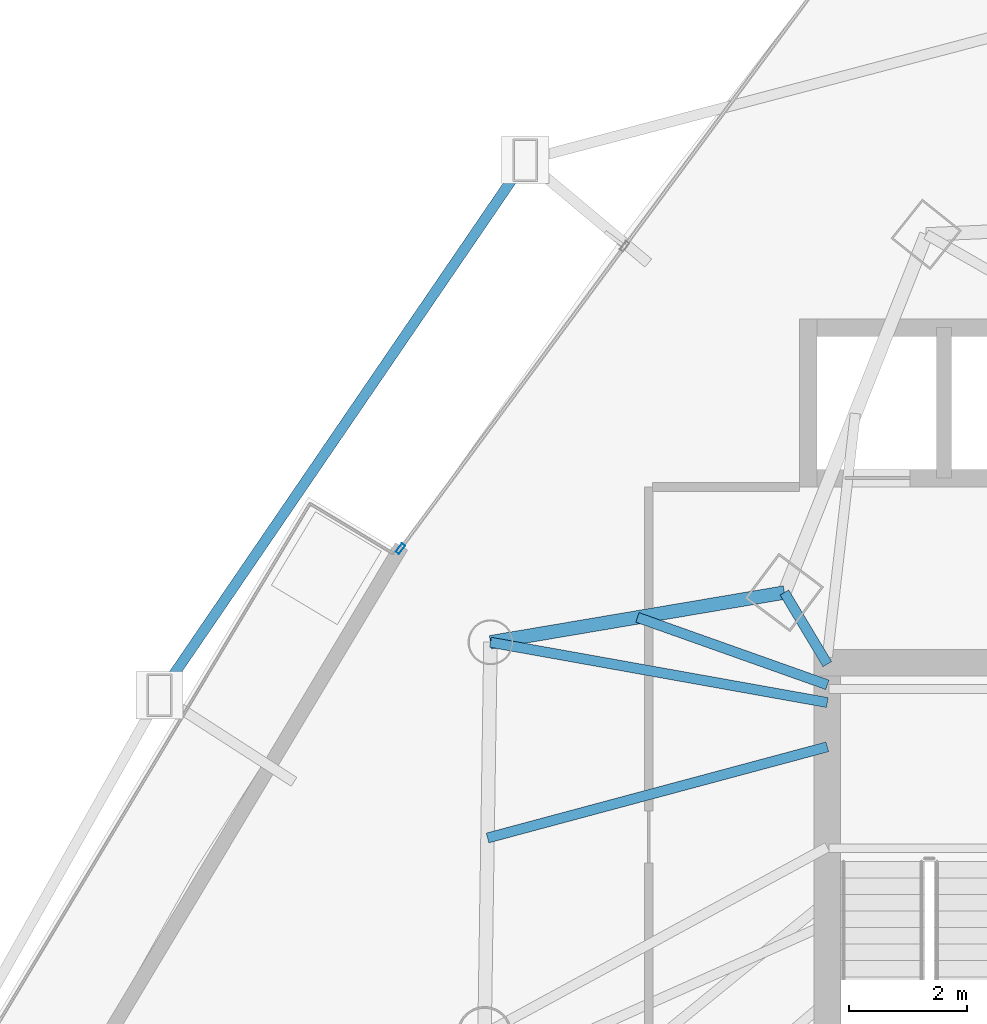
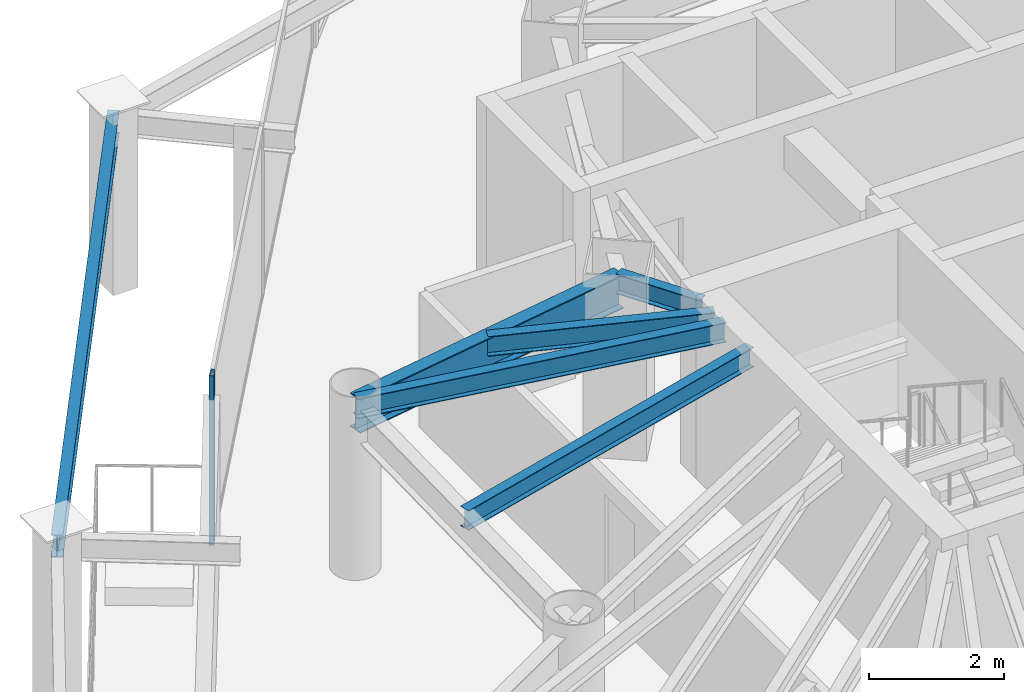
# One storey, part 23 of 38: 6 beams, 1 member, 1 element without a shape of its own.
"""IFC4 building model written with IfcOpenShell, lengths in metres."""

import ifcopenshell
import ifcopenshell.guid

model = None  # the IFC model being written
_history = None  # IfcOwnerHistory: only IFC2X3 demands one
_inside = {}  # id of a spatial element -> (the spatial element, [elements in it])
_under = {}  # id of a project, library or spatial element -> (it, [spatial elements below it])
_declared = {}  # id of a project -> (the project, [libraries it declares])
_typed = {}  # id of a type object -> (the type object, [elements of that type])
_made_of = {}  # id of a material, layer set ... -> (it, [elements and type objects made of it])


def new_model(schema):
    """Start an empty IFC model of exactly this schema.

    Asked for "IFC4X3", IfcOpenShell would pick the latest addendum, in which some entities
    have other attributes; the version numbers below select the first issue.
    IFC2X3 requires an IfcOwnerHistory on every rooted entity: one is made here for all.
    """
    global model, _history
    if schema == "IFC4X3":
        model = ifcopenshell.file(schema_version=(4, 3, 0, 0))
    else:
        model = ifcopenshell.file(schema=schema)
    _inside.clear()
    _under.clear()
    _declared.clear()
    _typed.clear()
    _made_of.clear()
    _history = None
    if model.schema == "IFC2X3":
        org = make("IfcOrganization", Name="unknown")
        user = make(
            "IfcPersonAndOrganization",
            ThePerson=make("IfcPerson", FamilyName="unknown"),
            TheOrganization=org,
        )
        app = make(
            "IfcApplication",
            ApplicationDeveloper=org,
            Version="unknown",
            ApplicationFullName="unknown",
            ApplicationIdentifier="unknown",
        )
        _history = make(
            "IfcOwnerHistory",
            OwningUser=user,
            OwningApplication=app,
            ChangeAction="ADDED",
            CreationDate=0,
        )
    return model


def make(cls, **values):
    """One entity of the class cls with the attributes given. An attribute that is None is left unset."""
    return model.create_entity(
        cls, **{name: value for name, value in values.items() if value is not None}
    )


def rooted(cls, **values):
    """An entity with a GlobalId (a new one), such as an element, a storey or a relation."""
    return make(cls, GlobalId=ifcopenshell.guid.new(), OwnerHistory=_history, **values)


def si_unit(unit_type, name, prefix=None):
    """IfcSIUnit, for example si_unit("LENGTHUNIT", "METRE", prefix="MILLI")."""
    return make("IfcSIUnit", UnitType=unit_type, Prefix=prefix, Name=name)


def assignment(units):
    """IfcUnitAssignment: the units of a project."""
    return None if units is None else make("IfcUnitAssignment", Units=units)


def point(xyz):
    """IfcCartesianPoint."""
    return None if xyz is None else make("IfcCartesianPoint", Coordinates=xyz)


def direction(xyz):
    """IfcDirection."""
    return None if xyz is None else make("IfcDirection", DirectionRatios=xyz)


def frame(location, z_axis=None, x_axis=None):
    """IfcAxis2Placement3D, a coordinate frame: its origin and axes. An axis left out is left unset."""
    return make(
        "IfcAxis2Placement3D",
        Location=point(location),
        Axis=direction(z_axis),
        RefDirection=direction(x_axis),
    )


def frame_2d(location, x_axis=None):
    """IfcAxis2Placement2D, a coordinate frame in the plane: its origin and x axis."""
    return make(
        "IfcAxis2Placement2D", Location=point(location), RefDirection=direction(x_axis)
    )


def origin():
    """The frame at (0, 0, 0) with its axes left unset."""
    return frame((0.0, 0.0, 0.0))


def origin_2d():
    """The frame at (0, 0) in the plane with its x axis left unset."""
    return frame_2d((0.0, 0.0))


def place(relative_to, where):
    """IfcLocalPlacement: puts the frame where relative to a parent placement (None: the world)."""
    return make(
        "IfcLocalPlacement", PlacementRelTo=relative_to, RelativePlacement=where
    )


def context(
    kind, dimensions, precision=None, world=None, true_north=None, identifier=None
):
    """IfcGeometricRepresentationContext, for example the 3D "Model" context."""
    return make(
        "IfcGeometricRepresentationContext",
        ContextIdentifier=identifier,
        ContextType=kind,
        CoordinateSpaceDimension=dimensions,
        Precision=precision,
        WorldCoordinateSystem=world,
        TrueNorth=true_north,
    )


def subcontext(parent, identifier, kind, view, scale=None):
    """IfcGeometricRepresentationSubContext, for example "Body" below "Model"."""
    return make(
        "IfcGeometricRepresentationSubContext",
        ContextIdentifier=identifier,
        ContextType=kind,
        ParentContext=parent,
        TargetScale=scale,
        TargetView=view,
    )


def project(units=None, contexts=None):
    """IfcProject with its units and contexts."""
    return rooted(
        "IfcProject",
        Name="project",
        RepresentationContexts=contexts,
        UnitsInContext=assignment(units),
    )


def spatial(cls, under=None, at=None, **own):
    """A site, building, storey or space (cls), placed at a placement, below another one or the project."""
    s = rooted(cls, ObjectPlacement=at, **own)
    if under is not None:
        _under.setdefault(under.id(), (under, []))[1].append(s)
    return s


def profile(cls, at=None, kind="AREA", **sizes):
    """A parametric profile (cls). Its sizes go by their IFC names, for example OverallWidth=200.0."""
    return make(cls, ProfileType=kind, Position=at, **sizes)


def hollow_rectangle(**sizes):
    """IfcRectangleHollowProfileDef."""
    return profile("IfcRectangleHollowProfileDef", **sizes)


def i_section(**sizes):
    """IfcIShapeProfileDef."""
    return profile("IfcIShapeProfileDef", **sizes)


def extrude(swept, where, along, depth):
    """IfcExtrudedAreaSolid: the profile swept, set in the frame where, extruded along a direction by depth."""
    return make(
        "IfcExtrudedAreaSolid",
        SweptArea=swept,
        Position=where,
        ExtrudedDirection=direction(along),
        Depth=depth,
    )


def shape(context_of_items, identifier, shape_type, items):
    """IfcShapeRepresentation: the items that make up one representation, for example the "Body"."""
    return make(
        "IfcShapeRepresentation",
        ContextOfItems=context_of_items,
        RepresentationIdentifier=identifier,
        RepresentationType=shape_type,
        Items=items,
    )


def material(Name=None, Category=None):
    """IfcMaterial."""
    return make("IfcMaterial", Name=Name, Category=Category)


def layer(
    of_material, thickness, ventilated=None, Name=None, Category=None, Priority=None
):
    """IfcMaterialLayer: one layer of a wall or slab, of a material (None: an air gap)."""
    return make(
        "IfcMaterialLayer",
        Material=of_material,
        LayerThickness=thickness,
        IsVentilated=ventilated,
        Name=Name,
        Category=Category,
        Priority=Priority,
    )


def layer_set(layers, Name=None):
    """IfcMaterialLayerSet."""
    return make("IfcMaterialLayerSet", MaterialLayers=layers, LayerSetName=Name)


def material_profile(
    of_material, cross_section, Name=None, Category=None, Priority=None
):
    """IfcMaterialProfile: a cross section and its material."""
    return make(
        "IfcMaterialProfile",
        Name=Name,
        Material=of_material,
        Profile=cross_section,
        Priority=Priority,
        Category=Category,
    )


def profile_set(profiles, Name=None, composite=None):
    """IfcMaterialProfileSet."""
    return make(
        "IfcMaterialProfileSet",
        Name=Name,
        MaterialProfiles=profiles,
        CompositeProfile=composite,
    )


def made_of(thing, what):
    """Note that an element or type object is made of a material, layer set ...; save() writes the relation."""
    if what is not None:
        _made_of.setdefault(what.id(), (what, []))[1].append(thing)
    return thing


def type_object(cls, material=None, **own):
    """A type object (cls), such as IfcWallType, which elements share."""
    return made_of(rooted(cls, **own), material)


def element(
    cls,
    number,
    at=None,
    inside=None,
    cuts=None,
    type_object=None,
    material=None,
    context=None,
    identifier="Body",
    shape_type=None,
    held_by="IfcProductDefinitionShape",
    body=None,
    shapes=None,
    **own,
):
    """One element of the class cls, such as IfcWall. Its Tag is "e" and its number.

    at: its placement. inside: the storey or other place that contains it. cuts: it is an
    opening in that element (IfcRelVoidsElement). A single representation is given by context,
    identifier, shape_type and body (its items); several are given by shapes. held_by: the class
    of the entity that holds the representations. save() writes the other relations.
    """
    e = rooted(cls, Tag="e%d" % number, ObjectPlacement=at, **own)
    if body is not None:
        shapes = [shape(context, identifier, shape_type, body)]
    if shapes is not None:
        e.Representation = make(held_by, Representations=shapes)
    if inside is not None:
        _inside.setdefault(inside.id(), (inside, []))[1].append(e)
    if cuts is not None:
        rooted(
            "IfcRelVoidsElement", RelatingBuildingElement=cuts, RelatedOpeningElement=e
        )
    if type_object is not None:
        _typed.setdefault(type_object.id(), (type_object, []))[1].append(e)
    return made_of(e, material)


def aggregate(whole, parts):
    """IfcRelAggregates: a whole, such as a stair, and the parts it consists of."""
    return rooted("IfcRelAggregates", RelatingObject=whole, RelatedObjects=parts)


def save(model, path):
    """Write the relations noted so far, then the file.

    IfcRelAggregates (storeys below a building ...), IfcRelContainedInSpatialStructure (elements
    in a storey), IfcRelDefinesByType, IfcRelAssociatesMaterial and IfcRelDeclares: one each for
    every whole, place, type object, material and project.
    """
    for whole, parts in _under.values():
        aggregate(whole, parts)
    for where, things in _inside.values():
        rooted(
            "IfcRelContainedInSpatialStructure",
            RelatedElements=things,
            RelatingStructure=where,
        )
    for kind, things in _typed.values():
        rooted("IfcRelDefinesByType", RelatedObjects=things, RelatingType=kind)
    for what, things in _made_of.values():
        rooted("IfcRelAssociatesMaterial", RelatedObjects=things, RelatingMaterial=what)
    for by, libraries in _declared.values():
        rooted("IfcRelDeclares", RelatingContext=by, RelatedDefinitions=libraries)
    model.write(path)


model = new_model("IFC4")

# Units and contexts
model_context = context("Model", 3, precision=1e-05, world=origin(), true_north=direction((0.0, 1.0)))
body_context = subcontext(model_context, "Body", "Model", "MODEL_VIEW")
ifc_project = project(units=[si_unit("LENGTHUNIT", "METRE"), si_unit("AREAUNIT", "SQUARE_METRE"), si_unit("VOLUMEUNIT", "CUBIC_METRE"), si_unit("PLANEANGLEUNIT", "RADIAN"), si_unit("MASSUNIT", "GRAM", prefix="KILO")], contexts=[model_context])

# Site, building, storey
site_placement = place(None, origin())
site = spatial("IfcSite", under=ifc_project, at=site_placement, CompositionType="ELEMENT")
building_placement = place(site_placement, origin())
building = spatial("IfcBuilding", under=site, at=building_placement, Name="Orvanel Arch Residences", CompositionType="ELEMENT")
storey_placement = place(building_placement, frame((0.0, 0.0, 50.0)))
storey = spatial("IfcBuildingStorey", under=building, at=storey_placement, Name="L13", CompositionType="ELEMENT", Elevation=50.0)

# Beams
ifc_material_1 = material(Name="Structural steel AS/NZS 3679.1 Grade 300 (300 MPa)", Category="steel")
ifc_material_profile_1 = material_profile(ifc_material_1, i_section(OverallWidth=0.1708984375, OverallDepth=0.35595703125, WebThickness=0.00732421875, FlangeThickness=0.011474609375, at=origin_2d()), Name="360UB50.7")
ifc_profile_set_1 = profile_set([ifc_material_profile_1], Name="Structural steel AS/NZS 3679.1 Grade 300 (300 MPa)")
beam_type_1 = type_object("IfcBeamType", Name="BJ-360UB", PredefinedType="JOIST", material=ifc_profile_set_1)
beam_1_placement = place(storey_placement, frame((26.375, 33.89990234375, 2.882080078125), z_axis=(-0.514064138778, 0.857751748015, 0.0), x_axis=(-0.857751748015, -0.514064138778, 0.0)))
element("IfcBeam", 1, at=beam_1_placement, inside=storey, type_object=beam_type_1, Name="L13 NNW Wing Floor Joist", PredefinedType="JOIST", context=body_context, shape_type="SweptSolid", body=[
    extrude(i_section(OverallWidth=0.1708984375, OverallDepth=0.35595703125, WebThickness=0.00732421875, FlangeThickness=0.011474609375, at=origin_2d()), origin(), (0.0, 0.0, 1.0), 1.414306640625),
])
beam_2_placement = place(storey_placement, frame((26.375, 32.5, 2.882080078125), z_axis=(-0.965844838168, -0.259121107949, 0.0), x_axis=(0.259121107949, -0.965844838168, 0.0)))
element("IfcBeam", 2, at=beam_2_placement, inside=storey, type_object=beam_type_1, Name="L13 WNW Wing Floor Joist", PredefinedType="JOIST", context=body_context, shape_type="SweptSolid", body=[
    extrude(i_section(OverallWidth=0.1708984375, OverallDepth=0.35595703125, WebThickness=0.00732421875, FlangeThickness=0.011474609375, at=origin_2d()), origin(), (0.0, 0.0, 1.0), 5.95849609375),
])
beam_3_placement = place(storey_placement, frame((26.375, 33.25, 2.882080078125), z_axis=(-0.984360855662, 0.176163860766, 0.0), x_axis=(-0.176163860766, -0.984360855662, 0.0)))
element("IfcBeam", 3, at=beam_3_placement, inside=storey, type_object=beam_type_1, Name="L13 LW Wing Floor Joist", PredefinedType="JOIST", context=body_context, shape_type="SweptSolid", body=[
    extrude(i_section(OverallWidth=0.1708984375, OverallDepth=0.35595703125, WebThickness=0.00732421875, FlangeThickness=0.011474609375, at=origin_2d()), origin(), (0.0, 0.0, 1.0), 5.795654296875),
])
beam_4_placement = place(storey_placement, frame((26.375, 33.550048828125, 2.882080078125), z_axis=(-0.942366638377, 0.334582006201, 0.0), x_axis=(-0.334582006201, -0.942366638377, 0.0)))
element("IfcBeam", 4, at=beam_4_placement, inside=storey, type_object=beam_type_1, Name="L13 JADD3 Wing Floor Joist", PredefinedType="JOIST", context=body_context, shape_type="SweptSolid", body=[
    extrude(i_section(OverallWidth=0.1708984375, OverallDepth=0.35595703125, WebThickness=0.00732421875, FlangeThickness=0.011474609375, at=origin_2d()), origin(), (0.0, 0.0, 1.0), 3.412841796875),
])

# Curtain wall, member
ifc_material_2 = material(Name="Bronze-anodised aluminium AA6063-T6", Category="aluminium")
ifc_layer = layer(ifc_material_2, 0.179931640625)
ifc_layer_set = layer_set([ifc_layer], Name="Bronze-anodised aluminium AA6063-T6")
curtain_wall_type = type_object("IfcCurtainWallType", Name="CW2-LOW-SYS", PredefinedType="NOTDEFINED", material=ifc_layer_set)
curtain_wall_placement = place(storey_placement, origin())
curtain_wall = element("IfcCurtainWall", 5, at=curtain_wall_placement, inside=storey, type_object=curtain_wall_type, Name="L13 CW2-LOW-SYS Unitised Curtain Wall", PredefinedType="NOTDEFINED")
ifc_material_profile_2 = material_profile(ifc_material_2, hollow_rectangle(XDim=0.070068359375, YDim=0.179931640625, WallThickness=0.00439453125, at=origin_2d()), Name="ALU180x70x4.5")
ifc_profile_set_2 = profile_set([ifc_material_profile_2], Name="Bronze-anodised aluminium AA6063-T6")
member_type = type_object("IfcMemberType", Name="MUL-180x70", PredefinedType="MULLION", material=ifc_profile_set_2)
member_placement = place(storey_placement, frame((19.144775390625, 35.856201171875, 0.0), z_axis=(0.0, 0.0, 1.0), x_axis=(0.803367768067, -0.595483189714, 0.0)))
member = element("IfcMember", 6, at=member_placement, type_object=member_type, Name="CW-S2 mullion 3", PredefinedType="MULLION", context=body_context, shape_type="SweptSolid", body=[
    extrude(hollow_rectangle(XDim=0.070068359375, YDim=0.179931640625, WallThickness=0.00439453125, at=origin_2d()), origin(), (0.0, 0.0, 1.0), 3.06005859375),
])
aggregate(curtain_wall, [member])

# Beams
ifc_material_profile_3 = material_profile(ifc_material_1, i_section(OverallWidth=0.177978515625, OverallDepth=0.406005859375, WebThickness=0.0078125, FlangeThickness=0.0126953125, at=origin_2d()), Name="410UB59.7")
ifc_profile_set_3 = profile_set([ifc_material_profile_3], Name="Structural steel AS/NZS 3679.1 Grade 300 (300 MPa)")
beam_type_2 = type_object("IfcBeamType", Name="OB-410UB-EXT", PredefinedType="SPANDREL", material=ifc_profile_set_3)
beam_5_placement = place(storey_placement, frame((21.259033203125, 42.43701171875, 2.85693359375), z_axis=(-0.564195053512, -0.82564153335, 0.0), x_axis=(0.82564153335, -0.564195053512, 0.0)))
element("IfcBeam", 7, at=beam_5_placement, inside=storey, type_object=beam_type_2, Name="L13 Outer Perimeter Floor Ring Beam 01", PredefinedType="SPANDREL", context=body_context, shape_type="SweptSolid", body=[
    extrude(i_section(OverallWidth=0.177978515625, OverallDepth=0.406005859375, WebThickness=0.0078125, FlangeThickness=0.0126953125, at=origin_2d()), origin(), (0.0, 0.0, 1.0), 10.976806640625),
])
ifc_material_profile_4 = material_profile(ifc_material_1, i_section(OverallWidth=0.22900390625, OverallDepth=0.612060546875, WebThickness=0.011962890625, FlangeThickness=0.01953125, at=origin_2d()), Name="610UB125")
ifc_profile_set_4 = profile_set([ifc_material_profile_4], Name="Structural steel AS/NZS 3679.1 Grade 300 (300 MPa)")
beam_type_3 = type_object("IfcBeamType", Name="SP-610UB", PredefinedType="SPANDREL", material=ifc_profile_set_4)
beam_6_placement = place(storey_placement, frame((25.64794921875, 35.113037109375, 2.75390625), z_axis=(-0.985993733897, -0.166782363326, 0.0), x_axis=(0.166782363326, -0.985993733897, 0.0)))
element("IfcBeam", 8, at=beam_6_placement, inside=storey, type_object=beam_type_3, Name="L13 Perimeter Spandrel Beam 19", PredefinedType="SPANDREL", context=body_context, shape_type="SweptSolid", body=[
    extrude(i_section(OverallWidth=0.22900390625, OverallDepth=0.612060546875, WebThickness=0.011962890625, FlangeThickness=0.01953125, at=origin_2d()), origin(), (0.0, 0.0, 1.0), 5.048828125),
])

save(model, "model.ifc")
